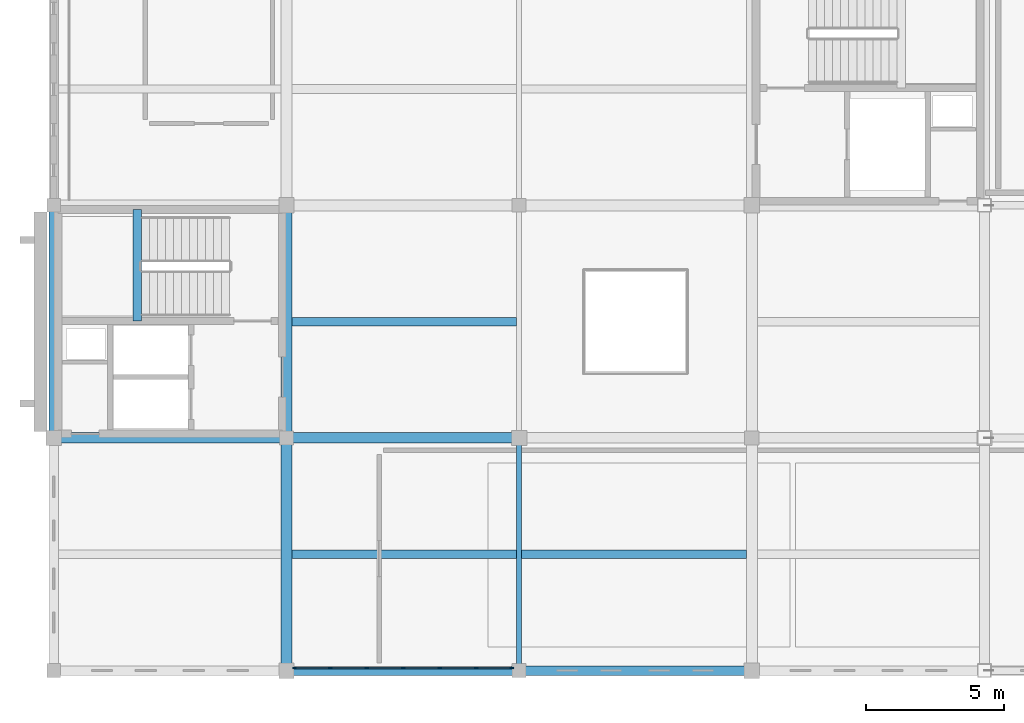
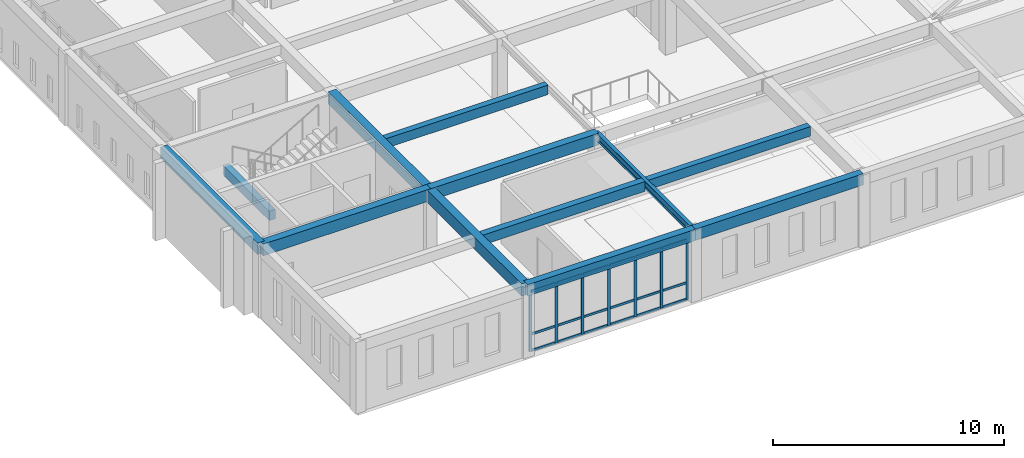
# One storey, part 2 of 36: 25 members, 12 beams, 1 element without a shape of its own.
"""IFC4 building model written with IfcOpenShell, lengths in metres."""

import ifcopenshell
import ifcopenshell.guid

model = None  # the IFC model being written
_history = None  # IfcOwnerHistory: only IFC2X3 demands one
_inside = {}  # id of a spatial element -> (the spatial element, [elements in it])
_under = {}  # id of a project, library or spatial element -> (it, [spatial elements below it])
_declared = {}  # id of a project -> (the project, [libraries it declares])
_typed = {}  # id of a type object -> (the type object, [elements of that type])
_made_of = {}  # id of a material, layer set ... -> (it, [elements and type objects made of it])


def new_model(schema):
    """Start an empty IFC model of exactly this schema.

    Asked for "IFC4X3", IfcOpenShell would pick the latest addendum, in which some entities
    have other attributes; the version numbers below select the first issue.
    IFC2X3 requires an IfcOwnerHistory on every rooted entity: one is made here for all.
    """
    global model, _history
    if schema == "IFC4X3":
        model = ifcopenshell.file(schema_version=(4, 3, 0, 0))
    else:
        model = ifcopenshell.file(schema=schema)
    _inside.clear()
    _under.clear()
    _declared.clear()
    _typed.clear()
    _made_of.clear()
    _history = None
    if model.schema == "IFC2X3":
        org = make("IfcOrganization", Name="unknown")
        user = make(
            "IfcPersonAndOrganization",
            ThePerson=make("IfcPerson", FamilyName="unknown"),
            TheOrganization=org,
        )
        app = make(
            "IfcApplication",
            ApplicationDeveloper=org,
            Version="unknown",
            ApplicationFullName="unknown",
            ApplicationIdentifier="unknown",
        )
        _history = make(
            "IfcOwnerHistory",
            OwningUser=user,
            OwningApplication=app,
            ChangeAction="ADDED",
            CreationDate=0,
        )
    return model


def make(cls, **values):
    """One entity of the class cls with the attributes given. An attribute that is None is left unset."""
    return model.create_entity(
        cls, **{name: value for name, value in values.items() if value is not None}
    )


def rooted(cls, **values):
    """An entity with a GlobalId (a new one), such as an element, a storey or a relation."""
    return make(cls, GlobalId=ifcopenshell.guid.new(), OwnerHistory=_history, **values)


def si_unit(unit_type, name, prefix=None):
    """IfcSIUnit, for example si_unit("LENGTHUNIT", "METRE", prefix="MILLI")."""
    return make("IfcSIUnit", UnitType=unit_type, Prefix=prefix, Name=name)


def assignment(units):
    """IfcUnitAssignment: the units of a project."""
    return None if units is None else make("IfcUnitAssignment", Units=units)


def point(xyz):
    """IfcCartesianPoint."""
    return None if xyz is None else make("IfcCartesianPoint", Coordinates=xyz)


def direction(xyz):
    """IfcDirection."""
    return None if xyz is None else make("IfcDirection", DirectionRatios=xyz)


def frame(location, z_axis=None, x_axis=None):
    """IfcAxis2Placement3D, a coordinate frame: its origin and axes. An axis left out is left unset."""
    return make(
        "IfcAxis2Placement3D",
        Location=point(location),
        Axis=direction(z_axis),
        RefDirection=direction(x_axis),
    )


def frame_2d(location, x_axis=None):
    """IfcAxis2Placement2D, a coordinate frame in the plane: its origin and x axis."""
    return make(
        "IfcAxis2Placement2D", Location=point(location), RefDirection=direction(x_axis)
    )


def origin():
    """The frame at (0, 0, 0) with its axes left unset."""
    return frame((0.0, 0.0, 0.0))


def origin_2d():
    """The frame at (0, 0) in the plane with its x axis left unset."""
    return frame_2d((0.0, 0.0))


def place(relative_to, where):
    """IfcLocalPlacement: puts the frame where relative to a parent placement (None: the world)."""
    return make(
        "IfcLocalPlacement", PlacementRelTo=relative_to, RelativePlacement=where
    )


def context(
    kind, dimensions, precision=None, world=None, true_north=None, identifier=None
):
    """IfcGeometricRepresentationContext, for example the 3D "Model" context."""
    return make(
        "IfcGeometricRepresentationContext",
        ContextIdentifier=identifier,
        ContextType=kind,
        CoordinateSpaceDimension=dimensions,
        Precision=precision,
        WorldCoordinateSystem=world,
        TrueNorth=true_north,
    )


def subcontext(parent, identifier, kind, view, scale=None):
    """IfcGeometricRepresentationSubContext, for example "Body" below "Model"."""
    return make(
        "IfcGeometricRepresentationSubContext",
        ContextIdentifier=identifier,
        ContextType=kind,
        ParentContext=parent,
        TargetScale=scale,
        TargetView=view,
    )


def project(units=None, contexts=None):
    """IfcProject with its units and contexts."""
    return rooted(
        "IfcProject",
        Name="project",
        RepresentationContexts=contexts,
        UnitsInContext=assignment(units),
    )


def spatial(cls, under=None, at=None, **own):
    """A site, building, storey or space (cls), placed at a placement, below another one or the project."""
    s = rooted(cls, ObjectPlacement=at, **own)
    if under is not None:
        _under.setdefault(under.id(), (under, []))[1].append(s)
    return s


def profile(cls, at=None, kind="AREA", **sizes):
    """A parametric profile (cls). Its sizes go by their IFC names, for example OverallWidth=200.0."""
    return make(cls, ProfileType=kind, Position=at, **sizes)


def rectangle(**sizes):
    """IfcRectangleProfileDef."""
    return profile("IfcRectangleProfileDef", **sizes)


def i_section(**sizes):
    """IfcIShapeProfileDef."""
    return profile("IfcIShapeProfileDef", **sizes)


def extrude(swept, where, along, depth):
    """IfcExtrudedAreaSolid: the profile swept, set in the frame where, extruded along a direction by depth."""
    return make(
        "IfcExtrudedAreaSolid",
        SweptArea=swept,
        Position=where,
        ExtrudedDirection=direction(along),
        Depth=depth,
    )


def shape(context_of_items, identifier, shape_type, items):
    """IfcShapeRepresentation: the items that make up one representation, for example the "Body"."""
    return make(
        "IfcShapeRepresentation",
        ContextOfItems=context_of_items,
        RepresentationIdentifier=identifier,
        RepresentationType=shape_type,
        Items=items,
    )


def material(Name=None, Category=None):
    """IfcMaterial."""
    return make("IfcMaterial", Name=Name, Category=Category)


def layer(
    of_material, thickness, ventilated=None, Name=None, Category=None, Priority=None
):
    """IfcMaterialLayer: one layer of a wall or slab, of a material (None: an air gap)."""
    return make(
        "IfcMaterialLayer",
        Material=of_material,
        LayerThickness=thickness,
        IsVentilated=ventilated,
        Name=Name,
        Category=Category,
        Priority=Priority,
    )


def layer_set(layers, Name=None):
    """IfcMaterialLayerSet."""
    return make("IfcMaterialLayerSet", MaterialLayers=layers, LayerSetName=Name)


def material_profile(
    of_material, cross_section, Name=None, Category=None, Priority=None
):
    """IfcMaterialProfile: a cross section and its material."""
    return make(
        "IfcMaterialProfile",
        Name=Name,
        Material=of_material,
        Profile=cross_section,
        Priority=Priority,
        Category=Category,
    )


def profile_set(profiles, Name=None, composite=None):
    """IfcMaterialProfileSet."""
    return make(
        "IfcMaterialProfileSet",
        Name=Name,
        MaterialProfiles=profiles,
        CompositeProfile=composite,
    )


def made_of(thing, what):
    """Note that an element or type object is made of a material, layer set ...; save() writes the relation."""
    if what is not None:
        _made_of.setdefault(what.id(), (what, []))[1].append(thing)
    return thing


def type_object(cls, material=None, **own):
    """A type object (cls), such as IfcWallType, which elements share."""
    return made_of(rooted(cls, **own), material)


def element(
    cls,
    number,
    at=None,
    inside=None,
    cuts=None,
    type_object=None,
    material=None,
    context=None,
    identifier="Body",
    shape_type=None,
    held_by="IfcProductDefinitionShape",
    body=None,
    shapes=None,
    **own,
):
    """One element of the class cls, such as IfcWall. Its Tag is "e" and its number.

    at: its placement. inside: the storey or other place that contains it. cuts: it is an
    opening in that element (IfcRelVoidsElement). A single representation is given by context,
    identifier, shape_type and body (its items); several are given by shapes. held_by: the class
    of the entity that holds the representations. save() writes the other relations.
    """
    e = rooted(cls, Tag="e%d" % number, ObjectPlacement=at, **own)
    if body is not None:
        shapes = [shape(context, identifier, shape_type, body)]
    if shapes is not None:
        e.Representation = make(held_by, Representations=shapes)
    if inside is not None:
        _inside.setdefault(inside.id(), (inside, []))[1].append(e)
    if cuts is not None:
        rooted(
            "IfcRelVoidsElement", RelatingBuildingElement=cuts, RelatedOpeningElement=e
        )
    if type_object is not None:
        _typed.setdefault(type_object.id(), (type_object, []))[1].append(e)
    return made_of(e, material)


def aggregate(whole, parts):
    """IfcRelAggregates: a whole, such as a stair, and the parts it consists of."""
    return rooted("IfcRelAggregates", RelatingObject=whole, RelatedObjects=parts)


def save(model, path):
    """Write the relations noted so far, then the file.

    IfcRelAggregates (storeys below a building ...), IfcRelContainedInSpatialStructure (elements
    in a storey), IfcRelDefinesByType, IfcRelAssociatesMaterial and IfcRelDeclares: one each for
    every whole, place, type object, material and project.
    """
    for whole, parts in _under.values():
        aggregate(whole, parts)
    for where, things in _inside.values():
        rooted(
            "IfcRelContainedInSpatialStructure",
            RelatedElements=things,
            RelatingStructure=where,
        )
    for kind, things in _typed.values():
        rooted("IfcRelDefinesByType", RelatedObjects=things, RelatingType=kind)
    for what, things in _made_of.values():
        rooted("IfcRelAssociatesMaterial", RelatedObjects=things, RelatingMaterial=what)
    for by, libraries in _declared.values():
        rooted("IfcRelDeclares", RelatingContext=by, RelatedDefinitions=libraries)
    model.write(path)


model = new_model("IFC4")

# Units and contexts
model_context = context("Model", 3, precision=1e-05, world=origin(), true_north=direction((0.0, 1.0)))
body_context = subcontext(model_context, "Body", "Model", "MODEL_VIEW")
ifc_project = project(units=[si_unit("LENGTHUNIT", "METRE"), si_unit("AREAUNIT", "SQUARE_METRE"), si_unit("VOLUMEUNIT", "CUBIC_METRE"), si_unit("PLANEANGLEUNIT", "RADIAN"), si_unit("MASSUNIT", "GRAM", prefix="KILO")], contexts=[model_context])

# Site, building, storey
site_placement = place(None, origin())
site = spatial("IfcSite", under=ifc_project, at=site_placement, CompositionType="ELEMENT")
building_placement = place(site_placement, origin())
building = spatial("IfcBuilding", under=site, at=building_placement, Name="Kveldsbrygga Polytechnic", CompositionType="ELEMENT")
storey_placement = place(building_placement, frame((0.0, 0.0, 22.10009765625)))
storey = spatial("IfcBuildingStorey", under=building, at=storey_placement, Name="L05", CompositionType="ELEMENT", Elevation=22.10009765625)

# Beams
ifc_material_1 = material(Name="Concrete C35/45", Category="concrete")
ifc_material_profile_1 = material_profile(ifc_material_1, rectangle(XDim=0.3798828125, YDim=0.6201171875, at=origin_2d()), Name="RC 380x620")
ifc_profile_set_1 = profile_set([ifc_material_profile_1], Name="Concrete C35/45")
beam_type_1 = type_object("IfcBeamType", Name="BM-RC-380x620", PredefinedType="BEAM", material=ifc_profile_set_1)
beam_1_placement = place(storey_placement, frame((126.0, 25.199951171875, 3.469970703125), z_axis=(1.0, 0.0, 0.0), x_axis=(0.0, 1.0, 0.0)))
element("IfcBeam", 1, at=beam_1_placement, inside=storey, type_object=beam_type_1, Name="Primary Beam BMX-L05-15to16-03", PredefinedType="BEAM", context=body_context, shape_type="SweptSolid", body=[
    extrude(rectangle(XDim=0.3798828125, YDim=0.6201171875, at=origin_2d()), origin(), (0.0, 0.0, 1.0), 8.39990234375),
])
beam_2_placement = place(storey_placement, frame((134.39990234375, 25.199951171875, 3.469970703125), z_axis=(1.0, 0.0, 0.0), x_axis=(0.0, 1.0, 0.0)))
element("IfcBeam", 2, at=beam_2_placement, inside=storey, type_object=beam_type_1, Name="Primary Beam BMX-L05-16to17-03", PredefinedType="BEAM", context=body_context, shape_type="SweptSolid", body=[
    extrude(rectangle(XDim=0.3798828125, YDim=0.6201171875, at=origin_2d()), origin(), (0.0, 0.0, 1.0), 8.400146484375),
])
ifc_material_profile_2 = material_profile(ifc_material_1, rectangle(XDim=0.39990234375, YDim=0.64990234375, at=origin_2d()), Name="RC 400x650")
ifc_profile_set_2 = profile_set([ifc_material_profile_2], Name="Concrete C35/45")
beam_type_2 = type_object("IfcBeamType", Name="BM-RC-400x650", PredefinedType="BEAM", material=ifc_profile_set_2)
beam_3_placement = place(storey_placement, frame((134.39990234375, 16.800048828125, 3.454833984375), z_axis=(0.0, 1.0, 0.0), x_axis=(-1.0, 0.0, 0.0)))
element("IfcBeam", 3, at=beam_3_placement, inside=storey, type_object=beam_type_2, Name="Primary Beam BMY-L05-16-02to03", PredefinedType="BEAM", context=body_context, shape_type="SweptSolid", body=[
    extrude(rectangle(XDim=0.39990234375, YDim=0.64990234375, at=origin_2d()), origin(), (0.0, 0.0, 1.0), 8.39990234375),
])
beam_4_placement = place(storey_placement, frame((134.39990234375, 25.199951171875, 3.454833984375), z_axis=(0.0, 1.0, 0.0), x_axis=(-1.0, 0.0, 0.0)))
element("IfcBeam", 4, at=beam_4_placement, inside=storey, type_object=beam_type_2, Name="Primary Beam BMY-L05-16-03to04", PredefinedType="BEAM", context=body_context, shape_type="SweptSolid", body=[
    extrude(rectangle(XDim=0.39990234375, YDim=0.64990234375, at=origin_2d()), origin(), (0.0, 0.0, 1.0), 8.400146484375),
])
ifc_material_profile_3 = material_profile(ifc_material_1, rectangle(XDim=0.35009765625, YDim=0.60009765625, at=origin_2d()), Name="RC 350x600")
ifc_profile_set_3 = profile_set([ifc_material_profile_3], Name="Concrete C35/45")
beam_type_3 = type_object("IfcBeamType", Name="BM-SPANDREL-600", PredefinedType="T_BEAM", material=ifc_profile_set_3)
beam_5_placement = place(storey_placement, frame((134.39990234375, 16.800048828125, 3.47998046875), z_axis=(1.0, 0.0, 0.0), x_axis=(0.0, 1.0, 0.0)))
element("IfcBeam", 5, at=beam_5_placement, inside=storey, type_object=beam_type_3, Name="Primary Beam BMX-L05-16to17-02", PredefinedType="T_BEAM", context=body_context, shape_type="SweptSolid", body=[
    extrude(rectangle(XDim=0.35009765625, YDim=0.60009765625, at=origin_2d()), origin(), (0.0, 0.0, 1.0), 8.400146484375),
])
beam_6_placement = place(storey_placement, frame((142.800048828125, 16.800048828125, 3.47998046875), z_axis=(1.0, 0.0, 0.0), x_axis=(0.0, 1.0, 0.0)))
element("IfcBeam", 6, at=beam_6_placement, inside=storey, type_object=beam_type_3, Name="Primary Beam BMX-L05-17to18-02", PredefinedType="T_BEAM", context=body_context, shape_type="SweptSolid", body=[
    extrude(rectangle(XDim=0.35009765625, YDim=0.60009765625, at=origin_2d()), origin(), (0.0, 0.0, 1.0), 8.39990234375),
])
beam_7_placement = place(storey_placement, frame((126.0, 25.199951171875, 3.47998046875), z_axis=(0.0, 1.0, 0.0), x_axis=(-1.0, 0.0, 0.0)))
element("IfcBeam", 7, at=beam_7_placement, inside=storey, type_object=beam_type_3, Name="Primary Beam BMY-L05-15-03to04", PredefinedType="T_BEAM", context=body_context, shape_type="SweptSolid", body=[
    extrude(rectangle(XDim=0.35009765625, YDim=0.60009765625, at=origin_2d()), origin(), (0.0, 0.0, 1.0), 8.400146484375),
])
ifc_material_2 = material(Name="Steel S355", Category="steel")
ifc_material_profile_4 = material_profile(ifc_material_2, i_section(OverallWidth=0.179931640625, OverallDepth=0.39990234375, WebThickness=0.008544921875, FlangeThickness=0.013427734375, FilletRadius=0.02099609375, at=origin_2d()), Name="IPE 400")
ifc_profile_set_4 = profile_set([ifc_material_profile_4], Name="Steel S355")
beam_type_4 = type_object("IfcBeamType", Name="BM-STL-IPE400", PredefinedType="BEAM", material=ifc_profile_set_4)
beam_8_placement = place(storey_placement, frame((142.800048828125, 16.800048828125, 3.579833984375), z_axis=(0.0, 1.0, 0.0), x_axis=(-1.0, 0.0, 0.0)))
element("IfcBeam", 8, at=beam_8_placement, inside=storey, type_object=beam_type_4, Name="Primary Beam BMY-L05-17-02to03", PredefinedType="BEAM", context=body_context, shape_type="SweptSolid", body=[
    extrude(i_section(OverallWidth=0.179931640625, OverallDepth=0.39990234375, WebThickness=0.008544921875, FlangeThickness=0.013427734375, FilletRadius=0.02099609375, at=origin_2d()), origin(), (0.0, 0.0, 1.0), 8.39990234375),
])

# Curtain wall, members
ifc_material_3 = material(Name="Anodised aluminium AW-6060", Category="aluminium")
ifc_layer = layer(ifc_material_3, 0.179931640625)
ifc_layer_set = layer_set([ifc_layer], Name="Anodised aluminium AW-6060")
curtain_wall_type = type_object("IfcCurtainWallType", Name="CW-CONC-A", PredefinedType="USERDEFINED", material=ifc_layer_set)
curtain_wall_placement = place(storey_placement, origin())
curtain_wall = element("IfcCurtainWall", 9, at=curtain_wall_placement, inside=storey, type_object=curtain_wall_type, Name="Curtain Wall CW-L05-X-16-02", ObjectType="UNITISED CURTAIN WALL", PredefinedType="USERDEFINED")
ifc_material_profile_5 = material_profile(ifc_material_3, rectangle(XDim=0.06005859375, YDim=0.139892578125, at=origin_2d()), Name="ALU 60x140")
ifc_profile_set_5 = profile_set([ifc_material_profile_5], Name="Anodised aluminium AW-6060")
member_type_1 = type_object("IfcMemberType", Name="CW-MUL-140", PredefinedType="MULLION", material=ifc_profile_set_5)
member_1_placement = place(storey_placement, frame((134.68994140625, 16.89990234375, 0.0), z_axis=(0.0, 0.0, 1.0), x_axis=(0.0, 1.0, 0.0)))
member_1 = element("IfcMember", 10, at=member_1_placement, type_object=member_type_1, Name="CW-01 mullion 1", PredefinedType="MULLION", context=body_context, shape_type="SweptSolid", body=[
    extrude(rectangle(XDim=0.06005859375, YDim=0.139892578125, at=origin_2d()), origin(), (0.0, 0.0, 1.0), 3.179931640625),
])
member_2_placement = place(storey_placement, frame((135.9775390625, 16.89990234375, 0.0), z_axis=(0.0, 0.0, 1.0), x_axis=(0.0, 1.0, 0.0)))
member_2 = element("IfcMember", 11, at=member_2_placement, type_object=member_type_1, Name="CW-01 mullion 2", PredefinedType="MULLION", context=body_context, shape_type="SweptSolid", body=[
    extrude(rectangle(XDim=0.06005859375, YDim=0.139892578125, at=origin_2d()), origin(), (0.0, 0.0, 1.0), 3.179931640625),
])
member_3_placement = place(storey_placement, frame((137.294921875, 16.89990234375, 0.0), z_axis=(0.0, 0.0, 1.0), x_axis=(0.0, 1.0, 0.0)))
member_3 = element("IfcMember", 12, at=member_3_placement, type_object=member_type_1, Name="CW-01 mullion 3", PredefinedType="MULLION", context=body_context, shape_type="SweptSolid", body=[
    extrude(rectangle(XDim=0.06005859375, YDim=0.139892578125, at=origin_2d()), origin(), (0.0, 0.0, 1.0), 3.179931640625),
])
member_4_placement = place(storey_placement, frame((138.612548828125, 16.89990234375, 0.0), z_axis=(0.0, 0.0, 1.0), x_axis=(0.0, 1.0, 0.0)))
member_4 = element("IfcMember", 13, at=member_4_placement, type_object=member_type_1, Name="CW-01 mullion 4", PredefinedType="MULLION", context=body_context, shape_type="SweptSolid", body=[
    extrude(rectangle(XDim=0.06005859375, YDim=0.139892578125, at=origin_2d()), origin(), (0.0, 0.0, 1.0), 3.179931640625),
])
member_5_placement = place(storey_placement, frame((139.929931640625, 16.89990234375, 0.0), z_axis=(0.0, 0.0, 1.0), x_axis=(0.0, 1.0, 0.0)))
member_5 = element("IfcMember", 14, at=member_5_placement, type_object=member_type_1, Name="CW-01 mullion 5", PredefinedType="MULLION", context=body_context, shape_type="SweptSolid", body=[
    extrude(rectangle(XDim=0.06005859375, YDim=0.139892578125, at=origin_2d()), origin(), (0.0, 0.0, 1.0), 3.179931640625),
])
member_6_placement = place(storey_placement, frame((141.24755859375, 16.89990234375, 0.0), z_axis=(0.0, 0.0, 1.0), x_axis=(0.0, 1.0, 0.0)))
member_6 = element("IfcMember", 15, at=member_6_placement, type_object=member_type_1, Name="CW-01 mullion 6", PredefinedType="MULLION", context=body_context, shape_type="SweptSolid", body=[
    extrude(rectangle(XDim=0.06005859375, YDim=0.139892578125, at=origin_2d()), origin(), (0.0, 0.0, 1.0), 3.179931640625),
])
member_7_placement = place(storey_placement, frame((142.534912109375, 16.89990234375, 0.0), z_axis=(0.0, 0.0, 1.0), x_axis=(0.0, 1.0, 0.0)))
member_7 = element("IfcMember", 16, at=member_7_placement, type_object=member_type_1, Name="CW-01 mullion 7", PredefinedType="MULLION", context=body_context, shape_type="SweptSolid", body=[
    extrude(rectangle(XDim=0.06005859375, YDim=0.139892578125, at=origin_2d()), origin(), (0.0, 0.0, 1.0), 3.179931640625),
])
ifc_material_profile_6 = material_profile(ifc_material_3, rectangle(XDim=0.06005859375, YDim=0.1201171875, at=origin_2d()), Name="ALU 60x120")
ifc_profile_set_6 = profile_set([ifc_material_profile_6], Name="Anodised aluminium AW-6060")
member_type_2 = type_object("IfcMemberType", Name="CW-TRN-120", PredefinedType="USERDEFINED", material=ifc_profile_set_6)
member_8_placement = place(storey_placement, frame((134.719970703125, 16.89990234375, 0.02978515625), z_axis=(1.0, 0.0, 0.0), x_axis=(0.0, 1.0, 0.0)))
member_8 = element("IfcMember", 17, at=member_8_placement, type_object=member_type_2, Name="CW-01 transom 1.1", ObjectType="TRANSOM", PredefinedType="USERDEFINED", context=body_context, shape_type="SweptSolid", body=[
    extrude(rectangle(XDim=0.06005859375, YDim=0.1201171875, at=origin_2d()), origin(), (0.0, 0.0, 1.0), 1.2275390625),
])
member_9_placement = place(storey_placement, frame((134.719970703125, 16.89990234375, 0.89990234375), z_axis=(1.0, 0.0, 0.0), x_axis=(0.0, 1.0, 0.0)))
member_9 = element("IfcMember", 18, at=member_9_placement, type_object=member_type_2, Name="CW-01 transom 1.2", ObjectType="TRANSOM", PredefinedType="USERDEFINED", context=body_context, shape_type="SweptSolid", body=[
    extrude(rectangle(XDim=0.06005859375, YDim=0.1201171875, at=origin_2d()), origin(), (0.0, 0.0, 1.0), 1.2275390625),
])
member_10_placement = place(storey_placement, frame((134.719970703125, 16.89990234375, 3.14990234375), z_axis=(1.0, 0.0, 0.0), x_axis=(0.0, 1.0, 0.0)))
member_10 = element("IfcMember", 19, at=member_10_placement, type_object=member_type_2, Name="CW-01 transom 1.3", ObjectType="TRANSOM", PredefinedType="USERDEFINED", context=body_context, shape_type="SweptSolid", body=[
    extrude(rectangle(XDim=0.06005859375, YDim=0.1201171875, at=origin_2d()), origin(), (0.0, 0.0, 1.0), 1.2275390625),
])
member_11_placement = place(storey_placement, frame((136.007568359375, 16.89990234375, 0.02978515625), z_axis=(1.0, 0.0, 0.0), x_axis=(0.0, 1.0, 0.0)))
member_11 = element("IfcMember", 20, at=member_11_placement, type_object=member_type_2, Name="CW-01 transom 2.1", ObjectType="TRANSOM", PredefinedType="USERDEFINED", context=body_context, shape_type="SweptSolid", body=[
    extrude(rectangle(XDim=0.06005859375, YDim=0.1201171875, at=origin_2d()), origin(), (0.0, 0.0, 1.0), 1.25732421875),
])
member_12_placement = place(storey_placement, frame((136.007568359375, 16.89990234375, 0.89990234375), z_axis=(1.0, 0.0, 0.0), x_axis=(0.0, 1.0, 0.0)))
member_12 = element("IfcMember", 21, at=member_12_placement, type_object=member_type_2, Name="CW-01 transom 2.2", ObjectType="TRANSOM", PredefinedType="USERDEFINED", context=body_context, shape_type="SweptSolid", body=[
    extrude(rectangle(XDim=0.06005859375, YDim=0.1201171875, at=origin_2d()), origin(), (0.0, 0.0, 1.0), 1.25732421875),
])
member_13_placement = place(storey_placement, frame((136.007568359375, 16.89990234375, 3.14990234375), z_axis=(1.0, 0.0, 0.0), x_axis=(0.0, 1.0, 0.0)))
member_13 = element("IfcMember", 22, at=member_13_placement, type_object=member_type_2, Name="CW-01 transom 2.3", ObjectType="TRANSOM", PredefinedType="USERDEFINED", context=body_context, shape_type="SweptSolid", body=[
    extrude(rectangle(XDim=0.06005859375, YDim=0.1201171875, at=origin_2d()), origin(), (0.0, 0.0, 1.0), 1.25732421875),
])
member_14_placement = place(storey_placement, frame((137.324951171875, 16.89990234375, 0.02978515625), z_axis=(1.0, 0.0, 0.0), x_axis=(0.0, 1.0, 0.0)))
member_14 = element("IfcMember", 23, at=member_14_placement, type_object=member_type_2, Name="CW-01 transom 3.1", ObjectType="TRANSOM", PredefinedType="USERDEFINED", context=body_context, shape_type="SweptSolid", body=[
    extrude(rectangle(XDim=0.06005859375, YDim=0.1201171875, at=origin_2d()), origin(), (0.0, 0.0, 1.0), 1.257568359375),
])
member_15_placement = place(storey_placement, frame((137.324951171875, 16.89990234375, 0.89990234375), z_axis=(1.0, 0.0, 0.0), x_axis=(0.0, 1.0, 0.0)))
member_15 = element("IfcMember", 24, at=member_15_placement, type_object=member_type_2, Name="CW-01 transom 3.2", ObjectType="TRANSOM", PredefinedType="USERDEFINED", context=body_context, shape_type="SweptSolid", body=[
    extrude(rectangle(XDim=0.06005859375, YDim=0.1201171875, at=origin_2d()), origin(), (0.0, 0.0, 1.0), 1.257568359375),
])
member_16_placement = place(storey_placement, frame((137.324951171875, 16.89990234375, 3.14990234375), z_axis=(1.0, 0.0, 0.0), x_axis=(0.0, 1.0, 0.0)))
member_16 = element("IfcMember", 25, at=member_16_placement, type_object=member_type_2, Name="CW-01 transom 3.3", ObjectType="TRANSOM", PredefinedType="USERDEFINED", context=body_context, shape_type="SweptSolid", body=[
    extrude(rectangle(XDim=0.06005859375, YDim=0.1201171875, at=origin_2d()), origin(), (0.0, 0.0, 1.0), 1.257568359375),
])
member_17_placement = place(storey_placement, frame((138.642578125, 16.89990234375, 0.02978515625), z_axis=(1.0, 0.0, 0.0), x_axis=(0.0, 1.0, 0.0)))
member_17 = element("IfcMember", 26, at=member_17_placement, type_object=member_type_2, Name="CW-01 transom 4.1", ObjectType="TRANSOM", PredefinedType="USERDEFINED", context=body_context, shape_type="SweptSolid", body=[
    extrude(rectangle(XDim=0.06005859375, YDim=0.1201171875, at=origin_2d()), origin(), (0.0, 0.0, 1.0), 1.25732421875),
])
member_18_placement = place(storey_placement, frame((138.642578125, 16.89990234375, 0.89990234375), z_axis=(1.0, 0.0, 0.0), x_axis=(0.0, 1.0, 0.0)))
member_18 = element("IfcMember", 27, at=member_18_placement, type_object=member_type_2, Name="CW-01 transom 4.2", ObjectType="TRANSOM", PredefinedType="USERDEFINED", context=body_context, shape_type="SweptSolid", body=[
    extrude(rectangle(XDim=0.06005859375, YDim=0.1201171875, at=origin_2d()), origin(), (0.0, 0.0, 1.0), 1.25732421875),
])
member_19_placement = place(storey_placement, frame((138.642578125, 16.89990234375, 3.14990234375), z_axis=(1.0, 0.0, 0.0), x_axis=(0.0, 1.0, 0.0)))
member_19 = element("IfcMember", 28, at=member_19_placement, type_object=member_type_2, Name="CW-01 transom 4.3", ObjectType="TRANSOM", PredefinedType="USERDEFINED", context=body_context, shape_type="SweptSolid", body=[
    extrude(rectangle(XDim=0.06005859375, YDim=0.1201171875, at=origin_2d()), origin(), (0.0, 0.0, 1.0), 1.25732421875),
])
member_20_placement = place(storey_placement, frame((139.9599609375, 16.89990234375, 0.02978515625), z_axis=(1.0, 0.0, 0.0), x_axis=(0.0, 1.0, 0.0)))
member_20 = element("IfcMember", 29, at=member_20_placement, type_object=member_type_2, Name="CW-01 transom 5.1", ObjectType="TRANSOM", PredefinedType="USERDEFINED", context=body_context, shape_type="SweptSolid", body=[
    extrude(rectangle(XDim=0.06005859375, YDim=0.1201171875, at=origin_2d()), origin(), (0.0, 0.0, 1.0), 1.257568359375),
])
member_21_placement = place(storey_placement, frame((139.9599609375, 16.89990234375, 0.89990234375), z_axis=(1.0, 0.0, 0.0), x_axis=(0.0, 1.0, 0.0)))
member_21 = element("IfcMember", 30, at=member_21_placement, type_object=member_type_2, Name="CW-01 transom 5.2", ObjectType="TRANSOM", PredefinedType="USERDEFINED", context=body_context, shape_type="SweptSolid", body=[
    extrude(rectangle(XDim=0.06005859375, YDim=0.1201171875, at=origin_2d()), origin(), (0.0, 0.0, 1.0), 1.257568359375),
])
member_22_placement = place(storey_placement, frame((139.9599609375, 16.89990234375, 3.14990234375), z_axis=(1.0, 0.0, 0.0), x_axis=(0.0, 1.0, 0.0)))
member_22 = element("IfcMember", 31, at=member_22_placement, type_object=member_type_2, Name="CW-01 transom 5.3", ObjectType="TRANSOM", PredefinedType="USERDEFINED", context=body_context, shape_type="SweptSolid", body=[
    extrude(rectangle(XDim=0.06005859375, YDim=0.1201171875, at=origin_2d()), origin(), (0.0, 0.0, 1.0), 1.257568359375),
])
member_23_placement = place(storey_placement, frame((141.277587890625, 16.89990234375, 0.02978515625), z_axis=(1.0, 0.0, 0.0), x_axis=(0.0, 1.0, 0.0)))
member_23 = element("IfcMember", 32, at=member_23_placement, type_object=member_type_2, Name="CW-01 transom 6.1", ObjectType="TRANSOM", PredefinedType="USERDEFINED", context=body_context, shape_type="SweptSolid", body=[
    extrude(rectangle(XDim=0.06005859375, YDim=0.1201171875, at=origin_2d()), origin(), (0.0, 0.0, 1.0), 1.227294921875),
])
member_24_placement = place(storey_placement, frame((141.277587890625, 16.89990234375, 0.89990234375), z_axis=(1.0, 0.0, 0.0), x_axis=(0.0, 1.0, 0.0)))
member_24 = element("IfcMember", 33, at=member_24_placement, type_object=member_type_2, Name="CW-01 transom 6.2", ObjectType="TRANSOM", PredefinedType="USERDEFINED", context=body_context, shape_type="SweptSolid", body=[
    extrude(rectangle(XDim=0.06005859375, YDim=0.1201171875, at=origin_2d()), origin(), (0.0, 0.0, 1.0), 1.227294921875),
])
member_25_placement = place(storey_placement, frame((141.277587890625, 16.89990234375, 3.14990234375), z_axis=(1.0, 0.0, 0.0), x_axis=(0.0, 1.0, 0.0)))
member_25 = element("IfcMember", 34, at=member_25_placement, type_object=member_type_2, Name="CW-01 transom 6.3", ObjectType="TRANSOM", PredefinedType="USERDEFINED", context=body_context, shape_type="SweptSolid", body=[
    extrude(rectangle(XDim=0.06005859375, YDim=0.1201171875, at=origin_2d()), origin(), (0.0, 0.0, 1.0), 1.227294921875),
])
aggregate(curtain_wall, [member_1, member_2, member_3, member_4, member_5, member_6, member_7, member_8, member_9, member_10, member_11, member_12, member_13, member_14, member_15, member_16, member_17, member_18, member_19, member_20, member_21, member_22, member_23, member_24, member_25])

# Beams
ifc_material_profile_7 = material_profile(ifc_material_1, rectangle(XDim=0.300048828125, YDim=0.5, at=origin_2d()), Name="RC 300x500")
ifc_profile_set_7 = profile_set([ifc_material_profile_7], Name="Concrete C35/45")
beam_type_5 = type_object("IfcBeamType", Name="JST-RC-300x500", PredefinedType="JOIST", material=ifc_profile_set_7)
beam_9_placement = place(storey_placement, frame((134.60009765625, 29.39990234375, 3.52978515625), z_axis=(1.0, 0.0, 0.0), x_axis=(0.0, 1.0, 0.0)))
element("IfcBeam", 35, at=beam_9_placement, inside=storey, type_object=beam_type_5, Name="Secondary Joist JST-L05-16-03", PredefinedType="JOIST", context=body_context, shape_type="SweptSolid", body=[
    extrude(rectangle(XDim=0.300048828125, YDim=0.5, at=origin_2d()), origin(), (0.0, 0.0, 1.0), 8.10986328125),
])
beam_10_placement = place(storey_placement, frame((142.889892578125, 21.0, 3.52978515625), z_axis=(1.0, 0.0, 0.0), x_axis=(0.0, 1.0, 0.0)))
element("IfcBeam", 36, at=beam_10_placement, inside=storey, type_object=beam_type_5, Name="Secondary Joist JST-L05-17-02", PredefinedType="JOIST", context=body_context, shape_type="SweptSolid", body=[
    extrude(rectangle(XDim=0.300048828125, YDim=0.5, at=origin_2d()), origin(), (0.0, 0.0, 1.0), 8.110107421875),
])
ifc_material_profile_8 = material_profile(ifc_material_1, rectangle(XDim=0.320068359375, YDim=0.52001953125, at=origin_2d()), Name="RC 320x520")
ifc_profile_set_8 = profile_set([ifc_material_profile_8], Name="Concrete C35/45")
beam_type_6 = type_object("IfcBeamType", Name="JST-RC-320x520", PredefinedType="JOIST", material=ifc_profile_set_8)
beam_11_placement = place(storey_placement, frame((134.60009765625, 21.0, 3.52001953125), z_axis=(1.0, 0.0, 0.0), x_axis=(0.0, 1.0, 0.0)))
element("IfcBeam", 37, at=beam_11_placement, inside=storey, type_object=beam_type_6, Name="Secondary Joist JST-L05-16-02", PredefinedType="JOIST", context=body_context, shape_type="SweptSolid", body=[
    extrude(rectangle(XDim=0.320068359375, YDim=0.52001953125, at=origin_2d()), origin(), (0.0, 0.0, 1.0), 8.10986328125),
])
ifc_material_profile_9 = material_profile(ifc_material_1, rectangle(XDim=0.300048828125, YDim=0.5, at=origin_2d()), Name="RC 300x500")
ifc_profile_set_9 = profile_set([ifc_material_profile_9], Name="Concrete C35/45")
beam_type_7 = type_object("IfcBeamType", Name="LNT-RC-300x500", PredefinedType="LINTEL", material=ifc_profile_set_9)
beam_12_placement = place(storey_placement, frame((129.010009765625, 29.429931640625, 1.58984375), z_axis=(0.0, 1.0, 0.0), x_axis=(-1.0, 0.0, 0.0)))
element("IfcBeam", 38, at=beam_12_placement, inside=storey, type_object=beam_type_7, Name="Stair Landing Support Beam C1-L05-LNDB-1-1", PredefinedType="LINTEL", context=body_context, shape_type="SweptSolid", body=[
    extrude(rectangle(XDim=0.300048828125, YDim=0.5, at=origin_2d()), origin(), (0.0, 0.0, 1.0), 4.02001953125),
])

save(model, "model.ifc")
